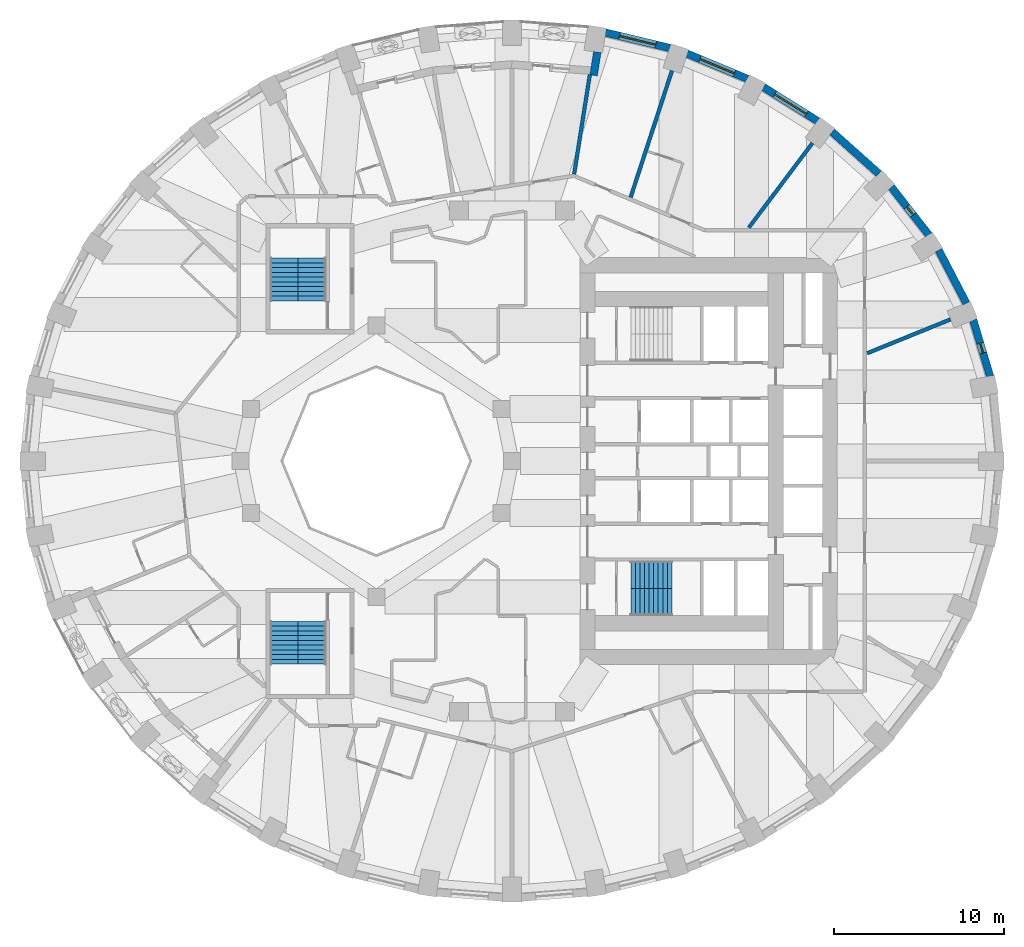
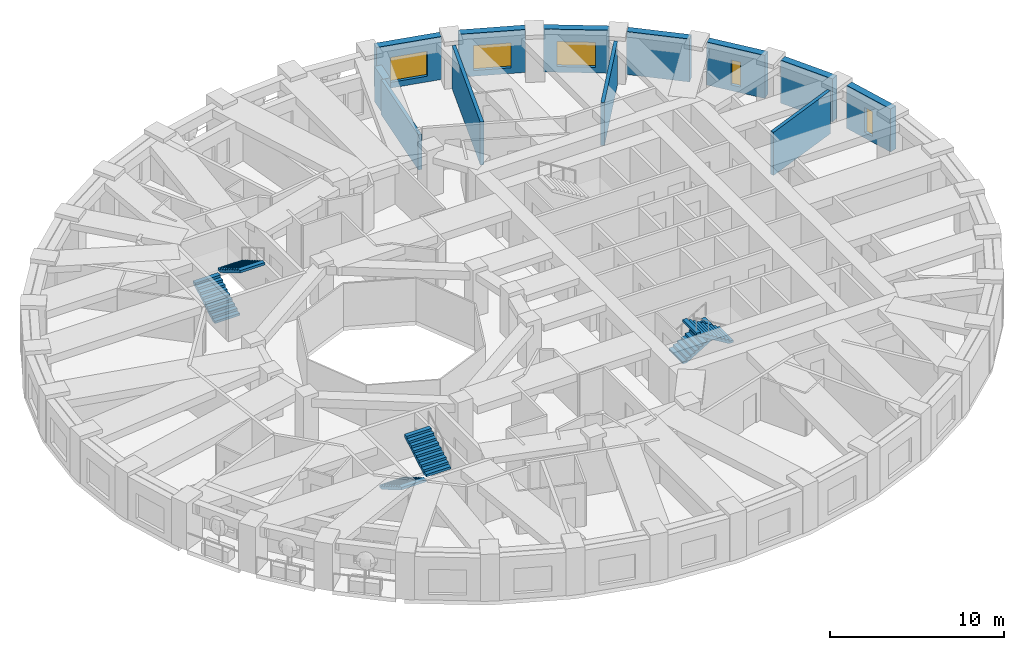
# One storey, part 9 of 13: 12 walls, 6 stair flights, 5 windows, 5 openings, 3 elements without a shape of their own.
"""IFC4 building model written with IfcOpenShell, lengths in metres."""

from ifc_helpers import new_model, si_unit, direction, frame, frame_2d, origin, place, context, subcontext, project, spatial, polyline, rectangle, outline, extrude, material, layer, layer_set, type_object, element, fill, aggregate, save


model = new_model("IFC4")

# Units and contexts
model_context = context("Model", 3, precision=1e-05, world=origin(), true_north=direction((0.0, 1.0)))
body_context = subcontext(model_context, "Body", "Model", "MODEL_VIEW")
ifc_project = project(units=[si_unit("LENGTHUNIT", "METRE"), si_unit("AREAUNIT", "SQUARE_METRE"), si_unit("VOLUMEUNIT", "CUBIC_METRE"), si_unit("PLANEANGLEUNIT", "RADIAN"), si_unit("MASSUNIT", "GRAM", prefix="KILO")], contexts=[model_context])

# Site, building, storey
site_placement = place(None, origin())
site = spatial("IfcSite", under=ifc_project, at=site_placement, CompositionType="ELEMENT")
building_placement = place(site_placement, origin())
building = spatial("IfcBuilding", under=site, at=building_placement, Name="Taillehof Tower", CompositionType="ELEMENT")
storey_placement = place(building_placement, frame((0.0, 0.0, 54.699951171875)))
storey = spatial("IfcBuildingStorey", under=building, at=storey_placement, Name="L14", CompositionType="ELEMENT", Elevation=54.699951171875)

# Wall, opening, window
ifc_material_1 = material(Name="Brick masonry", Category="masonry")
ifc_layer_1 = layer(ifc_material_1, 0.449951171875)
ifc_layer_set_1 = layer_set([ifc_layer_1], Name="Brick infill wall 450")
wall_type_1 = type_object("IfcWallType", Name="Brick infill wall 450", PredefinedType="SOLIDWALL", material=ifc_layer_set_1)
wall_1_placement = place(storey_placement, frame((28.181884765625, 4.995849609375, 0.0), z_axis=(0.0, 0.0, 1.0), x_axis=(-0.287064133733, 0.957911364963, 0.0)))
wall_1 = element("IfcWall", 1, at=wall_1_placement, inside=storey, type_object=wall_type_1, Name="Brick wall L14 bay 2", PredefinedType="SOLIDWALL", context=body_context, shape_type="SweptSolid", body=[
    extrude(rectangle(XDim=3.473388671875, YDim=0.449951171875, at=frame_2d((1.73681640625, 0.0))), origin(), (0.0, 0.0, 1.0), 3.02001953125),
])
opening_1_placement = place(wall_1_placement, frame((1.436767578125, 0.0, 0.39990234375)))
opening_1 = element("IfcOpeningElement", 2, at=opening_1_placement, cuts=wall_1, Name="Opening W6", PredefinedType="OPENING", context=body_context, shape_type="SweptSolid", body=[
    extrude(rectangle(XDim=0.60009765625, YDim=1.75, at=frame_2d((0.300048828125, 0.875))), frame((0.0, 0.23486328125, 0.0), z_axis=(0.0, -1.0, 0.0), x_axis=(1.0, 0.0, 0.0)), (0.0, 0.0, 1.0), 0.469970703125),
])
ifc_material_2 = material(Name="Aluminium window frame with clear double glazing", Category="aluminium")
window_type_1 = type_object("IfcWindowType", Name="Slot window 600x1750", PartitioningType="SINGLE_PANEL", PredefinedType="WINDOW", material=ifc_material_2)
window_1_placement = place(opening_1_placement, origin())
window_1 = element("IfcWindow", 3, at=window_1_placement, inside=storey, type_object=window_type_1, Name="W6", OverallHeight=1.75, OverallWidth=0.60009765625, PartitioningType="SINGLE_PANEL", PredefinedType="WINDOW", context=body_context, shape_type="SweptSolid", body=[
    extrude(rectangle(XDim=0.60009765625, YDim=1.75, at=frame_2d((0.300048828125, 0.875))), frame((0.0, 0.034912109375, 0.0), z_axis=(0.0, -1.0, 0.0), x_axis=(1.0, 0.0, 0.0)), (0.0, 0.0, 1.0), 0.06005859375),
])
fill(opening_1, window_1)

# Wall
wall_2_placement = place(storey_placement, frame((26.78564453125, 9.30517578125, 0.0), z_axis=(0.0, 0.0, 1.0), x_axis=(-0.462492775226, 0.886623050041, 0.0)))
element("IfcWall", 4, at=wall_2_placement, inside=storey, type_object=wall_type_1, Name="Brick wall L14 bay 3", PredefinedType="SOLIDWALL", context=body_context, shape_type="SweptSolid", body=[
    extrude(rectangle(XDim=3.531982421875, YDim=0.449951171875, at=frame_2d((1.76611328125, 0.0))), origin(), (0.0, 0.0, 1.0), 3.02001953125),
])

# Wall, opening, window
wall_3_placement = place(storey_placement, frame((24.57763671875, 13.327880859375, 0.0), z_axis=(0.0, 0.0, 1.0), x_axis=(-0.616661975264, 0.787228053529, 0.0)))
wall_3 = element("IfcWall", 5, at=wall_3_placement, inside=storey, type_object=wall_type_1, Name="Brick wall L14 bay 4", PredefinedType="SOLIDWALL", context=body_context, shape_type="SweptSolid", body=[
    extrude(rectangle(XDim=3.60986328125, YDim=0.449951171875, at=frame_2d((1.804931640625, 0.0))), origin(), (0.0, 0.0, 1.0), 3.02001953125),
])
opening_2_placement = place(wall_3_placement, frame((1.5048828125, 0.0, 0.39990234375)))
opening_2 = element("IfcOpeningElement", 6, at=opening_2_placement, cuts=wall_3, Name="Opening W6", PredefinedType="OPENING", context=body_context, shape_type="SweptSolid", body=[
    extrude(rectangle(XDim=0.60009765625, YDim=1.75, at=frame_2d((0.300048828125, 0.875))), frame((0.0, 0.23486328125, 0.0), z_axis=(0.0, -1.0, 0.0), x_axis=(1.0, 0.0, 0.0)), (0.0, 0.0, 1.0), 0.469970703125),
])
window_2_placement = place(opening_2_placement, origin())
window_2 = element("IfcWindow", 7, at=window_2_placement, inside=storey, type_object=window_type_1, Name="W6", OverallHeight=1.75, OverallWidth=0.60009765625, PartitioningType="SINGLE_PANEL", PredefinedType="WINDOW", context=body_context, shape_type="SweptSolid", body=[
    extrude(rectangle(XDim=0.60009765625, YDim=1.75, at=frame_2d((0.300048828125, 0.875))), frame((0.0, 0.034912109375, 0.0), z_axis=(0.0, -1.0, 0.0), x_axis=(1.0, 0.0, 0.0)), (0.0, 0.0, 1.0), 0.06005859375),
])
fill(opening_2, window_2)

# Wall
wall_4_placement = place(storey_placement, frame((21.626708984375, 16.943115234375, 0.0), z_axis=(0.0, 0.0, 1.0), x_axis=(-0.745526233716, 0.66647628228, 0.0)))
element("IfcWall", 8, at=wall_4_placement, inside=storey, type_object=wall_type_1, Name="Brick wall L14 bay 5", PredefinedType="SOLIDWALL", context=body_context, shape_type="SweptSolid", body=[
    extrude(rectangle(XDim=3.69677734375, YDim=0.449951171875, at=frame_2d((1.848388671875, 0.0))), origin(), (0.0, 0.0, 1.0), 3.02001953125),
])

# Wall, opening, window
wall_5_placement = place(storey_placement, frame((18.02294921875, 20.043701171875, 0.0), z_axis=(0.0, 0.0, 1.0), x_axis=(-0.847635480093, 0.530579016629, 0.0)))
wall_5 = element("IfcWall", 9, at=wall_5_placement, inside=storey, type_object=wall_type_1, Name="Brick wall L14 bay 6", PredefinedType="SOLIDWALL", context=body_context, shape_type="SweptSolid", body=[
    extrude(rectangle(XDim=3.782470703125, YDim=0.449951171875, at=frame_2d((1.89111328125, 0.0))), origin(), (0.0, 0.0, 1.0), 3.02001953125),
])
opening_3_placement = place(wall_5_placement, frame((0.791259765625, 0.0, 0.39990234375)))
opening_3 = element("IfcOpeningElement", 10, at=opening_3_placement, cuts=wall_5, Name="Opening W1", PredefinedType="OPENING", context=body_context, shape_type="SweptSolid", body=[
    extrude(rectangle(XDim=2.199951171875, YDim=1.75, at=frame_2d((1.10009765625, 0.875))), frame((0.0, 0.23486328125, 0.0), z_axis=(0.0, -1.0, 0.0), x_axis=(1.0, 0.0, 0.0)), (0.0, 0.0, 1.0), 0.469970703125),
])
ifc_material_3 = material(Name="Aluminium window frame with clear double glazing", Category="aluminium")
window_type_2 = type_object("IfcWindowType", Name="Deep-set window 2200x1750", PartitioningType="SINGLE_PANEL", PredefinedType="WINDOW", material=ifc_material_3)
window_3_placement = place(opening_3_placement, origin())
window_3 = element("IfcWindow", 11, at=window_3_placement, inside=storey, type_object=window_type_2, Name="W1", OverallHeight=1.75, OverallWidth=2.199951171875, PartitioningType="SINGLE_PANEL", PredefinedType="WINDOW", context=body_context, shape_type="SweptSolid", body=[
    extrude(rectangle(XDim=2.199951171875, YDim=1.75, at=frame_2d((1.10009765625, 0.875))), frame((0.0, 0.034912109375, 0.0), z_axis=(0.0, -1.0, 0.0), x_axis=(1.0, 0.0, 0.0)), (0.0, 0.0, 1.0), 0.06005859375),
])
fill(opening_3, window_3)

wall_6_placement = place(storey_placement, frame((13.875, 22.537353515625, 0.0), z_axis=(0.0, 0.0, 1.0), x_axis=(-0.923031964282, 0.384723267966, 0.0)))
wall_6 = element("IfcWall", 12, at=wall_6_placement, inside=storey, type_object=wall_type_1, Name="Brick wall L14 bay 7", PredefinedType="SOLIDWALL", context=body_context, shape_type="SweptSolid", body=[
    extrude(rectangle(XDim=3.8564453125, YDim=0.449951171875, at=frame_2d((1.92822265625, 0.0))), origin(), (0.0, 0.0, 1.0), 3.02001953125),
])
opening_4_placement = place(wall_6_placement, frame((0.828125, 0.0, 0.39990234375)))
opening_4 = element("IfcOpeningElement", 13, at=opening_4_placement, cuts=wall_6, Name="Opening W1", PredefinedType="OPENING", context=body_context, shape_type="SweptSolid", body=[
    extrude(rectangle(XDim=2.199951171875, YDim=1.75, at=frame_2d((1.10009765625, 0.875))), frame((0.0, 0.23486328125, 0.0), z_axis=(0.0, -1.0, 0.0), x_axis=(1.0, 0.0, 0.0)), (0.0, 0.0, 1.0), 0.469970703125),
])
window_4_placement = place(opening_4_placement, origin())
window_4 = element("IfcWindow", 14, at=window_4_placement, inside=storey, type_object=window_type_2, Name="W1", OverallHeight=1.75, OverallWidth=2.199951171875, PartitioningType="SINGLE_PANEL", PredefinedType="WINDOW", context=body_context, shape_type="SweptSolid", body=[
    extrude(rectangle(XDim=2.199951171875, YDim=1.75, at=frame_2d((1.10009765625, 0.875))), frame((0.0, 0.034912109375, 0.0), z_axis=(0.0, -1.0, 0.0), x_axis=(1.0, 0.0, 0.0)), (0.0, 0.0, 1.0), 0.06005859375),
])
fill(opening_4, window_4)

wall_7_placement = place(storey_placement, frame((9.3076171875, 24.349609375, 0.0), z_axis=(0.0, 0.0, 1.0), x_axis=(-0.972496561493, 0.232917233979, 0.0)))
wall_7 = element("IfcWall", 15, at=wall_7_placement, inside=storey, type_object=wall_type_1, Name="Brick wall L14 bay 8", PredefinedType="SOLIDWALL", context=body_context, shape_type="SweptSolid", body=[
    extrude(rectangle(XDim=3.910888671875, YDim=0.449951171875, at=frame_2d((1.95556640625, 0.0))), origin(), (0.0, 0.0, 1.0), 3.02001953125),
])
opening_5_placement = place(wall_7_placement, frame((0.855224609375, 0.0, 0.39990234375)))
opening_5 = element("IfcOpeningElement", 16, at=opening_5_placement, cuts=wall_7, Name="Opening W1", PredefinedType="OPENING", context=body_context, shape_type="SweptSolid", body=[
    extrude(rectangle(XDim=2.199951171875, YDim=1.75, at=frame_2d((1.10009765625, 0.875))), frame((0.0, 0.23486328125, 0.0), z_axis=(0.0, -1.0, 0.0), x_axis=(1.0, 0.0, 0.0)), (0.0, 0.0, 1.0), 0.469970703125),
])
window_5_placement = place(opening_5_placement, origin())
window_5 = element("IfcWindow", 17, at=window_5_placement, inside=storey, type_object=window_type_2, Name="W1", OverallHeight=1.75, OverallWidth=2.199951171875, PartitioningType="SINGLE_PANEL", PredefinedType="WINDOW", context=body_context, shape_type="SweptSolid", body=[
    extrude(rectangle(XDim=2.199951171875, YDim=1.75, at=frame_2d((1.10009765625, 0.875))), frame((0.0, 0.034912109375, 0.0), z_axis=(0.0, -1.0, 0.0), x_axis=(1.0, 0.0, 0.0)), (0.0, 0.0, 1.0), 0.06005859375),
])
fill(opening_5, window_5)

# Walls
wall_8_placement = place(storey_placement, frame((5.02685546875, 24.108154296875, 0.0), z_axis=(0.0, 0.0, 1.0), x_axis=(-0.156133927791, -0.98773589415, 0.0)))
element("IfcWall", 18, at=wall_8_placement, inside=storey, type_object=wall_type_1, Name="Brick reveal L14 pocket 2", PredefinedType="SOLIDWALL", context=body_context, shape_type="SweptSolid", body=[
    extrude(rectangle(XDim=1.39013671875, YDim=0.449951171875, at=frame_2d((0.695068359375, 0.0))), origin(), (0.0, 0.0, 1.0), 2.469970703125),
])
ifc_material_4 = material(Name="Gypsum board on double steel studs with mineral wool", Category="steel")
ifc_layer_2 = layer(ifc_material_4, 0.219970703125)
ifc_layer_set_2 = layer_set([ifc_layer_2], Name="Compartment wall guest room 220")
wall_type_2 = type_object("IfcWallType", Name="Compartment wall guest room 220", PredefinedType="PARTITIONING", material=ifc_layer_set_2)
wall_9_placement = place(storey_placement, frame((25.851318359375, 8.35400390625, 0.0), z_axis=(0.0, 0.0, 1.0), x_axis=(-0.926546814299, -0.376179479653, 0.0)))
element("IfcWall", 19, at=wall_9_placement, inside=storey, type_object=wall_type_2, Name="Compartment wall", PredefinedType="PARTITIONING", context=body_context, shape_type="SweptSolid", body=[
    extrude(rectangle(XDim=5.3037109375, YDim=0.219970703125, at=frame_2d((2.65185546875, 0.0))), origin(), (0.0, 0.0, 1.0), 3.02001953125),
])
wall_10_placement = place(storey_placement, frame((17.707763671875, 18.7431640625, 0.0), z_axis=(0.0, 0.0, 1.0), x_axis=(-0.601177883261, -0.799115231164, 0.0)))
element("IfcWall", 20, at=wall_10_placement, inside=storey, type_object=wall_type_2, Name="Compartment wall", PredefinedType="PARTITIONING", context=body_context, shape_type="SweptSolid", body=[
    extrude(rectangle(XDim=6.231201171875, YDim=0.219970703125, at=frame_2d((3.11572265625, 0.0))), origin(), (0.0, 0.0, 1.0), 3.02001953125),
])
wall_11_placement = place(storey_placement, frame((9.429443359375, 23.01416015625, 0.0), z_axis=(0.0, 0.0, 1.0), x_axis=(-0.310230839568, -0.950661257326, 0.0)))
element("IfcWall", 21, at=wall_11_placement, inside=storey, type_object=wall_type_2, Name="Compartment wall", PredefinedType="PARTITIONING", context=body_context, shape_type="SweptSolid", body=[
    extrude(rectangle(XDim=7.84912109375, YDim=0.219970703125, at=frame_2d((3.924560546875, 0.0))), origin(), (0.0, 0.0, 1.0), 3.02001953125),
])
wall_12_placement = place(storey_placement, frame((4.590576171875, 22.78857421875, 0.0), z_axis=(0.0, 0.0, 1.0), x_axis=(-0.156126964527, -0.987736994826, 0.0)))
element("IfcWall", 22, at=wall_12_placement, inside=storey, type_object=wall_type_2, Name="Compartment wall", PredefinedType="PARTITIONING", context=body_context, shape_type="SweptSolid", body=[
    extrude(rectangle(XDim=5.948486328125, YDim=0.219970703125, at=frame_2d((2.97412109375, 0.0))), origin(), (0.0, 0.0, 1.0), 2.469970703125),
])

# Stair, stair flights
ifc_material_5 = material(Name="Concrete C40/50", Category="concrete")
stair_type = type_object("IfcStairType", Name="Exit stair half-turn", PredefinedType="HALF_TURN_STAIR", material=ifc_material_5)
stair_1_placement = place(storey_placement, origin())
stair_1 = element("IfcStair", 23, at=stair_1_placement, inside=storey, type_object=stair_type, Name="Exit stair S2", PredefinedType="HALF_TURN_STAIR")
ifc_material_6 = material(Name="Concrete C40/50", Category="concrete")
stair_flight_type_1 = type_object("IfcStairFlightType", Name="Stair flight 1600 riser 165.0 going 270", PredefinedType="STRAIGHT", material=ifc_material_6)
stair_flight_1_placement = place(storey_placement, frame((7.0, -6.699951171875, 0.0), z_axis=(0.0, 0.0, 1.0), x_axis=(1.0, 0.0, 0.0)))
stair_flight_1 = element("IfcStairFlight", 24, at=stair_flight_1_placement, type_object=stair_flight_type_1, Name="S2 flight 1", NumberOfRisers=10, NumberOfTreads=9, PredefinedType="STRAIGHT", RiserHeight=0.165, TreadLength=0.27, context=body_context, shape_type="SweptSolid", body=[
    extrude(outline(polyline([(0.0, 0.0), (0.0, 0.00537109375), (0.0, 0.0107421875), (0.0, 0.015869140625), (0.0, 0.021240234375), (0.0, 0.026611328125), (0.0, 0.031982421875), (0.0, 0.037353515625), (0.0, 0.04248046875), (0.0, 0.0478515625), (0.0, 0.05322265625), (0.0, 0.05859375), (0.0, 0.06396484375), (0.0, 0.069091796875), (0.0, 0.074462890625), (0.0, 0.079833984375), (0.0, 0.085205078125), (0.0, 0.090576171875), (0.0, 0.095703125), (0.0, 0.10107421875), (0.0, 0.1064453125), (0.0, 0.11181640625), (0.0, 0.1171875), (0.0, 0.122314453125), (0.0, 0.127685546875), (0.0, 0.133056640625), (0.0, 0.138427734375), (0.0, 0.143798828125), (0.0, 0.14892578125), (0.0, 0.154296875), (0.0, 0.15966796875), (0.0, 0.1650390625), (0.27001953125, 0.1650390625), (0.27001953125, 0.330078125), (0.5400390625, 0.330078125), (0.5400390625, 0.4951171875), (0.81005859375, 0.4951171875), (0.81005859375, 0.659912109375), (1.080078125, 0.659912109375), (1.080078125, 0.824951171875), (1.35009765625, 0.824951171875), (1.35009765625, 0.989990234375), (1.6201171875, 0.989990234375), (1.6201171875, 1.155029296875), (1.889892578125, 1.155029296875), (1.889892578125, 1.320068359375), (2.159912109375, 1.320068359375), (2.159912109375, 1.485107421875), (2.429931640625, 1.485107421875), (2.429931640625, 1.479248046875), (2.429931640625, 1.4736328125), (2.429931640625, 1.468017578125), (2.429931640625, 1.46240234375), (2.429931640625, 1.45654296875), (2.429931640625, 1.450927734375), (2.429931640625, 1.4453125), (2.429931640625, 1.439697265625), (2.429931640625, 1.43408203125), (2.429931640625, 1.42822265625), (2.429931640625, 1.422607421875), (2.429931640625, 1.4169921875), (2.429931640625, 1.411376953125), (2.429931640625, 1.40576171875), (2.429931640625, 1.39990234375), (2.429931640625, 1.394287109375), (2.429931640625, 1.388671875), (2.429931640625, 1.383056640625), (2.429931640625, 1.37744140625), (2.429931640625, 1.37158203125), (2.429931640625, 1.365966796875), (2.429931640625, 1.3603515625), (2.429931640625, 1.354736328125), (2.429931640625, 1.348876953125), (2.429931640625, 1.34326171875), (2.429931640625, 1.337646484375), (2.429931640625, 1.33203125), (2.429931640625, 1.326416015625), (2.429931640625, 1.320556640625), (2.429931640625, 1.31494140625), (2.429931640625, 1.309326171875), (0.287353515625, 0.0), (0.0, 0.0)])), frame((0.0, 0.800048828125, 0.0), z_axis=(0.0, -1.0, 0.0), x_axis=(1.0, 0.0, 0.0)), (0.0, 0.0, 1.0), 1.6),
])
stair_flight_2_placement = place(storey_placement, frame((9.429931640625, -8.300048828125, 1.650146484375), z_axis=(0.0, 0.0, 1.0), x_axis=(-1.0, 0.0, 0.0)))
stair_flight_2 = element("IfcStairFlight", 25, at=stair_flight_2_placement, type_object=stair_flight_type_1, Name="S2 flight 2", NumberOfRisers=10, NumberOfTreads=9, PredefinedType="STRAIGHT", RiserHeight=0.165, TreadLength=0.27, context=body_context, shape_type="SweptSolid", body=[
    extrude(outline(polyline([(0.0, 0.0), (0.0, 0.00537109375), (0.0, 0.0107421875), (0.0, 0.015869140625), (0.0, 0.021240234375), (0.0, 0.026611328125), (0.0, 0.031982421875), (0.0, 0.037353515625), (0.0, 0.04248046875), (0.0, 0.0478515625), (0.0, 0.05322265625), (0.0, 0.05859375), (0.0, 0.06396484375), (0.0, 0.069091796875), (0.0, 0.074462890625), (0.0, 0.079833984375), (0.0, 0.085205078125), (0.0, 0.090576171875), (0.0, 0.095703125), (0.0, 0.10107421875), (0.0, 0.1064453125), (0.0, 0.11181640625), (0.0, 0.1171875), (0.0, 0.122314453125), (0.0, 0.127685546875), (0.0, 0.133056640625), (0.0, 0.138427734375), (0.0, 0.143798828125), (0.0, 0.14892578125), (0.0, 0.154296875), (0.0, 0.15966796875), (0.0, 0.1650390625), (0.27001953125, 0.1650390625), (0.27001953125, 0.330078125), (0.5400390625, 0.330078125), (0.5400390625, 0.4951171875), (0.81005859375, 0.4951171875), (0.81005859375, 0.659912109375), (1.080078125, 0.659912109375), (1.080078125, 0.824951171875), (1.35009765625, 0.824951171875), (1.35009765625, 0.989990234375), (1.6201171875, 0.989990234375), (1.6201171875, 1.155029296875), (1.889892578125, 1.155029296875), (1.889892578125, 1.320068359375), (2.159912109375, 1.320068359375), (2.159912109375, 1.485107421875), (2.429931640625, 1.485107421875), (2.429931640625, 1.479248046875), (2.429931640625, 1.4736328125), (2.429931640625, 1.468017578125), (2.429931640625, 1.46240234375), (2.429931640625, 1.45654296875), (2.429931640625, 1.450927734375), (2.429931640625, 1.4453125), (2.429931640625, 1.439697265625), (2.429931640625, 1.43408203125), (2.429931640625, 1.42822265625), (2.429931640625, 1.422607421875), (2.429931640625, 1.4169921875), (2.429931640625, 1.411376953125), (2.429931640625, 1.40576171875), (2.429931640625, 1.39990234375), (2.429931640625, 1.394287109375), (2.429931640625, 1.388671875), (2.429931640625, 1.383056640625), (2.429931640625, 1.37744140625), (2.429931640625, 1.37158203125), (2.429931640625, 1.365966796875), (2.429931640625, 1.3603515625), (2.429931640625, 1.354736328125), (2.429931640625, 1.348876953125), (2.429931640625, 1.34326171875), (2.429931640625, 1.337646484375), (2.429931640625, 1.33203125), (2.429931640625, 1.326416015625), (2.429931640625, 1.320556640625), (2.429931640625, 1.31494140625), (2.429931640625, 1.309326171875), (0.287353515625, 0.0), (0.0, 0.0)])), frame((0.0, 0.800048828125, 0.0), z_axis=(0.0, -1.0, 0.0), x_axis=(1.0, 0.0, 0.0)), (0.0, 0.0, 1.0), 1.6),
])
aggregate(stair_1, [stair_flight_1, stair_flight_2])

stair_2_placement = place(storey_placement, origin())
stair_2 = element("IfcStair", 26, at=stair_2_placement, inside=storey, type_object=stair_type, Name="Exit stair S3", PredefinedType="HALF_TURN_STAIR")
ifc_material_7 = material(Name="Concrete C40/50", Category="concrete")
stair_flight_type_2 = type_object("IfcStairFlightType", Name="Stair flight 1650 riser 165.0 going 280", PredefinedType="STRAIGHT", material=ifc_material_7)
stair_flight_3_placement = place(storey_placement, frame((-13.425048828125, 9.449951171875, 0.0), z_axis=(0.0, 0.0, 1.0), x_axis=(0.0, 1.0, 0.0)))
stair_flight_3 = element("IfcStairFlight", 27, at=stair_flight_3_placement, type_object=stair_flight_type_2, Name="S3 flight 1", NumberOfRisers=10, NumberOfTreads=9, PredefinedType="STRAIGHT", RiserHeight=0.165, TreadLength=0.28, context=body_context, shape_type="SweptSolid", body=[
    extrude(outline(polyline([(0.0, 0.0), (0.0, 0.00537109375), (0.0, 0.0107421875), (0.0, 0.015869140625), (0.0, 0.021240234375), (0.0, 0.026611328125), (0.0, 0.031982421875), (0.0, 0.037353515625), (0.0, 0.04248046875), (0.0, 0.0478515625), (0.0, 0.05322265625), (0.0, 0.05859375), (0.0, 0.06396484375), (0.0, 0.069091796875), (0.0, 0.074462890625), (0.0, 0.079833984375), (0.0, 0.085205078125), (0.0, 0.090576171875), (0.0, 0.095703125), (0.0, 0.10107421875), (0.0, 0.1064453125), (0.0, 0.11181640625), (0.0, 0.1171875), (0.0, 0.122314453125), (0.0, 0.127685546875), (0.0, 0.133056640625), (0.0, 0.138427734375), (0.0, 0.143798828125), (0.0, 0.14892578125), (0.0, 0.154296875), (0.0, 0.15966796875), (0.0, 0.1650390625), (0.280029296875, 0.1650390625), (0.280029296875, 0.330078125), (0.56005859375, 0.330078125), (0.56005859375, 0.4951171875), (0.840087890625, 0.4951171875), (0.840087890625, 0.659912109375), (1.1201171875, 0.659912109375), (1.1201171875, 0.824951171875), (1.39990234375, 0.824951171875), (1.39990234375, 0.989990234375), (1.679931640625, 0.989990234375), (1.679931640625, 1.155029296875), (1.9599609375, 1.155029296875), (1.9599609375, 1.320068359375), (2.239990234375, 1.320068359375), (2.239990234375, 1.485107421875), (2.52001953125, 1.485107421875), (2.52001953125, 1.4794921875), (2.52001953125, 1.473876953125), (2.52001953125, 1.46826171875), (2.52001953125, 1.462646484375), (2.52001953125, 1.45703125), (2.52001953125, 1.451416015625), (2.52001953125, 1.44580078125), (2.52001953125, 1.440185546875), (2.52001953125, 1.4345703125), (2.52001953125, 1.428955078125), (2.52001953125, 1.42333984375), (2.52001953125, 1.417724609375), (2.52001953125, 1.412109375), (2.52001953125, 1.406494140625), (2.52001953125, 1.40087890625), (2.52001953125, 1.395263671875), (2.52001953125, 1.3896484375), (2.52001953125, 1.384033203125), (2.52001953125, 1.37841796875), (2.52001953125, 1.372802734375), (2.52001953125, 1.3671875), (2.52001953125, 1.361572265625), (2.52001953125, 1.35595703125), (2.52001953125, 1.350341796875), (2.52001953125, 1.3447265625), (2.52001953125, 1.339111328125), (2.52001953125, 1.33349609375), (2.52001953125, 1.327880859375), (2.52001953125, 1.322265625), (2.52001953125, 1.316650390625), (2.52001953125, 1.31103515625), (0.295166015625, 0.0), (0.0, 0.0)])), frame((0.0, 0.824951171875, 0.0), z_axis=(0.0, -1.0, 0.0), x_axis=(1.0, 0.0, 0.0)), (0.0, 0.0, 1.0), 1.65),
])
stair_flight_4_placement = place(storey_placement, frame((-11.77490234375, 11.969970703125, 1.650146484375), z_axis=(0.0, 0.0, 1.0), x_axis=(0.0, -1.0, 0.0)))
stair_flight_4 = element("IfcStairFlight", 28, at=stair_flight_4_placement, type_object=stair_flight_type_2, Name="S3 flight 2", NumberOfRisers=10, NumberOfTreads=9, PredefinedType="STRAIGHT", RiserHeight=0.165, TreadLength=0.28, context=body_context, shape_type="SweptSolid", body=[
    extrude(outline(polyline([(0.0, 0.0), (0.0, 0.00537109375), (0.0, 0.0107421875), (0.0, 0.015869140625), (0.0, 0.021240234375), (0.0, 0.026611328125), (0.0, 0.031982421875), (0.0, 0.037353515625), (0.0, 0.04248046875), (0.0, 0.0478515625), (0.0, 0.05322265625), (0.0, 0.05859375), (0.0, 0.06396484375), (0.0, 0.069091796875), (0.0, 0.074462890625), (0.0, 0.079833984375), (0.0, 0.085205078125), (0.0, 0.090576171875), (0.0, 0.095703125), (0.0, 0.10107421875), (0.0, 0.1064453125), (0.0, 0.11181640625), (0.0, 0.1171875), (0.0, 0.122314453125), (0.0, 0.127685546875), (0.0, 0.133056640625), (0.0, 0.138427734375), (0.0, 0.143798828125), (0.0, 0.14892578125), (0.0, 0.154296875), (0.0, 0.15966796875), (0.0, 0.1650390625), (0.280029296875, 0.1650390625), (0.280029296875, 0.330078125), (0.56005859375, 0.330078125), (0.56005859375, 0.4951171875), (0.840087890625, 0.4951171875), (0.840087890625, 0.659912109375), (1.1201171875, 0.659912109375), (1.1201171875, 0.824951171875), (1.39990234375, 0.824951171875), (1.39990234375, 0.989990234375), (1.679931640625, 0.989990234375), (1.679931640625, 1.155029296875), (1.9599609375, 1.155029296875), (1.9599609375, 1.320068359375), (2.239990234375, 1.320068359375), (2.239990234375, 1.485107421875), (2.52001953125, 1.485107421875), (2.52001953125, 1.4794921875), (2.52001953125, 1.473876953125), (2.52001953125, 1.46826171875), (2.52001953125, 1.462646484375), (2.52001953125, 1.45703125), (2.52001953125, 1.451416015625), (2.52001953125, 1.44580078125), (2.52001953125, 1.440185546875), (2.52001953125, 1.4345703125), (2.52001953125, 1.428955078125), (2.52001953125, 1.42333984375), (2.52001953125, 1.417724609375), (2.52001953125, 1.412109375), (2.52001953125, 1.406494140625), (2.52001953125, 1.40087890625), (2.52001953125, 1.395263671875), (2.52001953125, 1.3896484375), (2.52001953125, 1.384033203125), (2.52001953125, 1.37841796875), (2.52001953125, 1.372802734375), (2.52001953125, 1.3671875), (2.52001953125, 1.361572265625), (2.52001953125, 1.35595703125), (2.52001953125, 1.350341796875), (2.52001953125, 1.3447265625), (2.52001953125, 1.339111328125), (2.52001953125, 1.33349609375), (2.52001953125, 1.327880859375), (2.52001953125, 1.322265625), (2.52001953125, 1.316650390625), (2.52001953125, 1.31103515625), (0.295166015625, 0.0), (0.0, 0.0)])), frame((0.0, 0.824951171875, 0.0), z_axis=(0.0, -1.0, 0.0), x_axis=(1.0, 0.0, 0.0)), (0.0, 0.0, 1.0), 1.65),
])
aggregate(stair_2, [stair_flight_3, stair_flight_4])

stair_3_placement = place(storey_placement, origin())
stair_3 = element("IfcStair", 29, at=stair_3_placement, inside=storey, type_object=stair_type, Name="Exit stair S4", PredefinedType="HALF_TURN_STAIR")
stair_flight_5_placement = place(storey_placement, frame((-13.425048828125, -9.449951171875, 0.0), z_axis=(0.0, 0.0, 1.0), x_axis=(0.0, -1.0, 0.0)))
stair_flight_5 = element("IfcStairFlight", 30, at=stair_flight_5_placement, type_object=stair_flight_type_2, Name="S4 flight 1", NumberOfRisers=10, NumberOfTreads=9, PredefinedType="STRAIGHT", RiserHeight=0.165, TreadLength=0.28, context=body_context, shape_type="SweptSolid", body=[
    extrude(outline(polyline([(0.0, 0.0), (0.0, 0.00537109375), (0.0, 0.0107421875), (0.0, 0.015869140625), (0.0, 0.021240234375), (0.0, 0.026611328125), (0.0, 0.031982421875), (0.0, 0.037353515625), (0.0, 0.04248046875), (0.0, 0.0478515625), (0.0, 0.05322265625), (0.0, 0.05859375), (0.0, 0.06396484375), (0.0, 0.069091796875), (0.0, 0.074462890625), (0.0, 0.079833984375), (0.0, 0.085205078125), (0.0, 0.090576171875), (0.0, 0.095703125), (0.0, 0.10107421875), (0.0, 0.1064453125), (0.0, 0.11181640625), (0.0, 0.1171875), (0.0, 0.122314453125), (0.0, 0.127685546875), (0.0, 0.133056640625), (0.0, 0.138427734375), (0.0, 0.143798828125), (0.0, 0.14892578125), (0.0, 0.154296875), (0.0, 0.15966796875), (0.0, 0.1650390625), (0.280029296875, 0.1650390625), (0.280029296875, 0.330078125), (0.56005859375, 0.330078125), (0.56005859375, 0.4951171875), (0.840087890625, 0.4951171875), (0.840087890625, 0.659912109375), (1.1201171875, 0.659912109375), (1.1201171875, 0.824951171875), (1.39990234375, 0.824951171875), (1.39990234375, 0.989990234375), (1.679931640625, 0.989990234375), (1.679931640625, 1.155029296875), (1.9599609375, 1.155029296875), (1.9599609375, 1.320068359375), (2.239990234375, 1.320068359375), (2.239990234375, 1.485107421875), (2.52001953125, 1.485107421875), (2.52001953125, 1.4794921875), (2.52001953125, 1.473876953125), (2.52001953125, 1.46826171875), (2.52001953125, 1.462646484375), (2.52001953125, 1.45703125), (2.52001953125, 1.451416015625), (2.52001953125, 1.44580078125), (2.52001953125, 1.440185546875), (2.52001953125, 1.4345703125), (2.52001953125, 1.428955078125), (2.52001953125, 1.42333984375), (2.52001953125, 1.417724609375), (2.52001953125, 1.412109375), (2.52001953125, 1.406494140625), (2.52001953125, 1.40087890625), (2.52001953125, 1.395263671875), (2.52001953125, 1.3896484375), (2.52001953125, 1.384033203125), (2.52001953125, 1.37841796875), (2.52001953125, 1.372802734375), (2.52001953125, 1.3671875), (2.52001953125, 1.361572265625), (2.52001953125, 1.35595703125), (2.52001953125, 1.350341796875), (2.52001953125, 1.3447265625), (2.52001953125, 1.339111328125), (2.52001953125, 1.33349609375), (2.52001953125, 1.327880859375), (2.52001953125, 1.322265625), (2.52001953125, 1.316650390625), (2.52001953125, 1.31103515625), (0.295166015625, 0.0), (0.0, 0.0)])), frame((0.0, 0.824951171875, 0.0), z_axis=(0.0, -1.0, 0.0), x_axis=(1.0, 0.0, 0.0)), (0.0, 0.0, 1.0), 1.65),
])
stair_flight_6_placement = place(storey_placement, frame((-11.77490234375, -11.969970703125, 1.650146484375), z_axis=(0.0, 0.0, 1.0), x_axis=(0.0, 1.0, 0.0)))
stair_flight_6 = element("IfcStairFlight", 31, at=stair_flight_6_placement, type_object=stair_flight_type_2, Name="S4 flight 2", NumberOfRisers=10, NumberOfTreads=9, PredefinedType="STRAIGHT", RiserHeight=0.165, TreadLength=0.28, context=body_context, shape_type="SweptSolid", body=[
    extrude(outline(polyline([(0.0, 0.0), (0.0, 0.00537109375), (0.0, 0.0107421875), (0.0, 0.015869140625), (0.0, 0.021240234375), (0.0, 0.026611328125), (0.0, 0.031982421875), (0.0, 0.037353515625), (0.0, 0.04248046875), (0.0, 0.0478515625), (0.0, 0.05322265625), (0.0, 0.05859375), (0.0, 0.06396484375), (0.0, 0.069091796875), (0.0, 0.074462890625), (0.0, 0.079833984375), (0.0, 0.085205078125), (0.0, 0.090576171875), (0.0, 0.095703125), (0.0, 0.10107421875), (0.0, 0.1064453125), (0.0, 0.11181640625), (0.0, 0.1171875), (0.0, 0.122314453125), (0.0, 0.127685546875), (0.0, 0.133056640625), (0.0, 0.138427734375), (0.0, 0.143798828125), (0.0, 0.14892578125), (0.0, 0.154296875), (0.0, 0.15966796875), (0.0, 0.1650390625), (0.280029296875, 0.1650390625), (0.280029296875, 0.330078125), (0.56005859375, 0.330078125), (0.56005859375, 0.4951171875), (0.840087890625, 0.4951171875), (0.840087890625, 0.659912109375), (1.1201171875, 0.659912109375), (1.1201171875, 0.824951171875), (1.39990234375, 0.824951171875), (1.39990234375, 0.989990234375), (1.679931640625, 0.989990234375), (1.679931640625, 1.155029296875), (1.9599609375, 1.155029296875), (1.9599609375, 1.320068359375), (2.239990234375, 1.320068359375), (2.239990234375, 1.485107421875), (2.52001953125, 1.485107421875), (2.52001953125, 1.4794921875), (2.52001953125, 1.473876953125), (2.52001953125, 1.46826171875), (2.52001953125, 1.462646484375), (2.52001953125, 1.45703125), (2.52001953125, 1.451416015625), (2.52001953125, 1.44580078125), (2.52001953125, 1.440185546875), (2.52001953125, 1.4345703125), (2.52001953125, 1.428955078125), (2.52001953125, 1.42333984375), (2.52001953125, 1.417724609375), (2.52001953125, 1.412109375), (2.52001953125, 1.406494140625), (2.52001953125, 1.40087890625), (2.52001953125, 1.395263671875), (2.52001953125, 1.3896484375), (2.52001953125, 1.384033203125), (2.52001953125, 1.37841796875), (2.52001953125, 1.372802734375), (2.52001953125, 1.3671875), (2.52001953125, 1.361572265625), (2.52001953125, 1.35595703125), (2.52001953125, 1.350341796875), (2.52001953125, 1.3447265625), (2.52001953125, 1.339111328125), (2.52001953125, 1.33349609375), (2.52001953125, 1.327880859375), (2.52001953125, 1.322265625), (2.52001953125, 1.316650390625), (2.52001953125, 1.31103515625), (0.295166015625, 0.0), (0.0, 0.0)])), frame((0.0, 0.824951171875, 0.0), z_axis=(0.0, -1.0, 0.0), x_axis=(1.0, 0.0, 0.0)), (0.0, 0.0, 1.0), 1.65),
])
aggregate(stair_3, [stair_flight_5, stair_flight_6])

save(model, "model.ifc")
